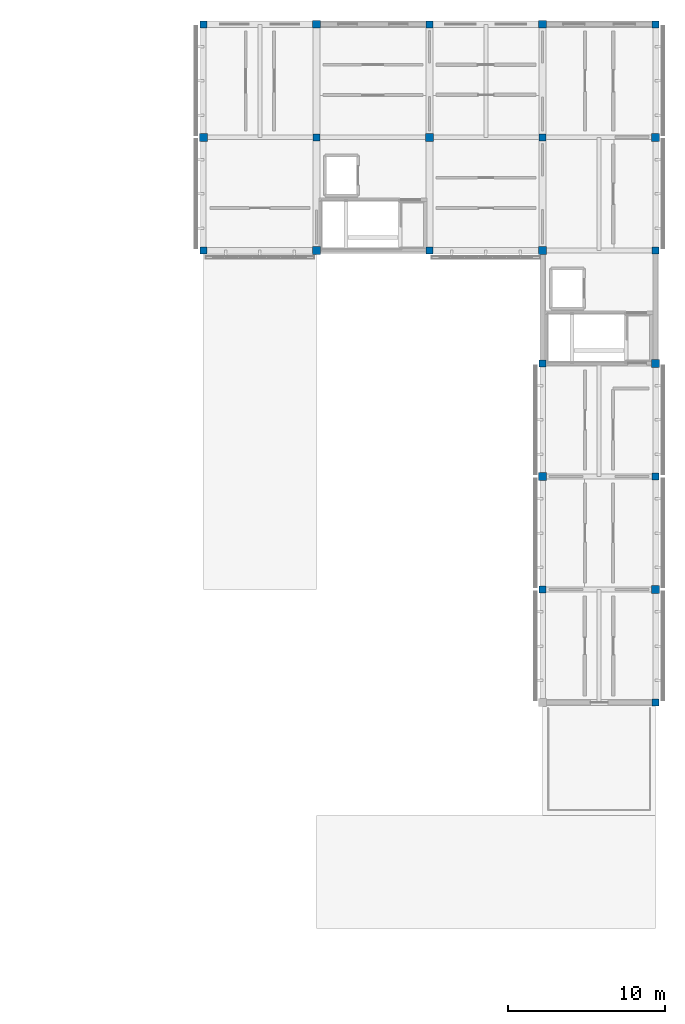
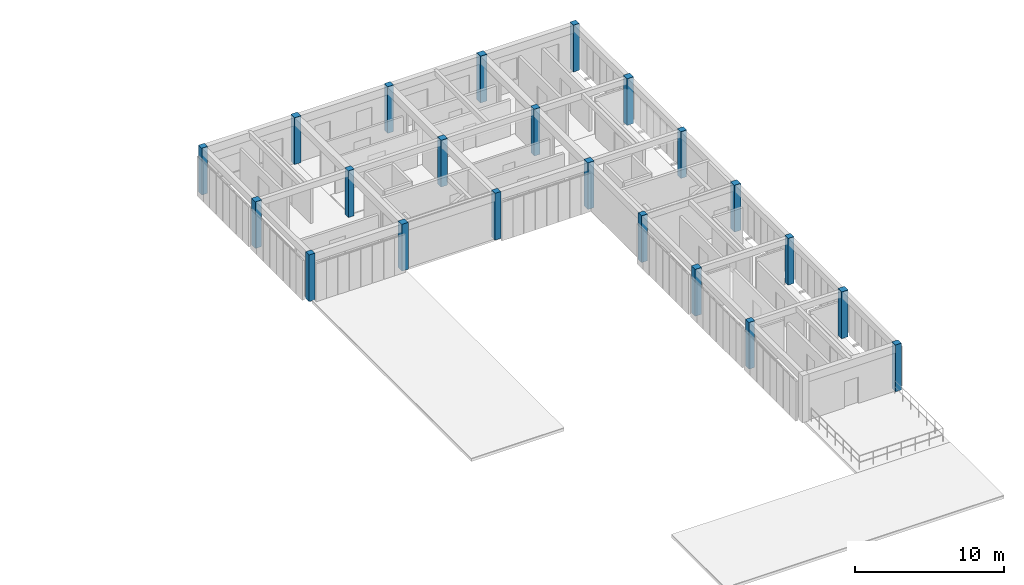
# One storey, part 2 of 33: 22 columns.
"""IFC4 building model written with IfcOpenShell, lengths in metres."""

import ifcopenshell
import ifcopenshell.guid

model = None  # the IFC model being written
_history = None  # IfcOwnerHistory: only IFC2X3 demands one
_inside = {}  # id of a spatial element -> (the spatial element, [elements in it])
_under = {}  # id of a project, library or spatial element -> (it, [spatial elements below it])
_declared = {}  # id of a project -> (the project, [libraries it declares])
_typed = {}  # id of a type object -> (the type object, [elements of that type])
_made_of = {}  # id of a material, layer set ... -> (it, [elements and type objects made of it])


def new_model(schema):
    """Start an empty IFC model of exactly this schema.

    Asked for "IFC4X3", IfcOpenShell would pick the latest addendum, in which some entities
    have other attributes; the version numbers below select the first issue.
    IFC2X3 requires an IfcOwnerHistory on every rooted entity: one is made here for all.
    """
    global model, _history
    if schema == "IFC4X3":
        model = ifcopenshell.file(schema_version=(4, 3, 0, 0))
    else:
        model = ifcopenshell.file(schema=schema)
    _inside.clear()
    _under.clear()
    _declared.clear()
    _typed.clear()
    _made_of.clear()
    _history = None
    if model.schema == "IFC2X3":
        org = make("IfcOrganization", Name="unknown")
        user = make(
            "IfcPersonAndOrganization",
            ThePerson=make("IfcPerson", FamilyName="unknown"),
            TheOrganization=org,
        )
        app = make(
            "IfcApplication",
            ApplicationDeveloper=org,
            Version="unknown",
            ApplicationFullName="unknown",
            ApplicationIdentifier="unknown",
        )
        _history = make(
            "IfcOwnerHistory",
            OwningUser=user,
            OwningApplication=app,
            ChangeAction="ADDED",
            CreationDate=0,
        )
    return model


def make(cls, **values):
    """One entity of the class cls with the attributes given. An attribute that is None is left unset."""
    return model.create_entity(
        cls, **{name: value for name, value in values.items() if value is not None}
    )


def rooted(cls, **values):
    """An entity with a GlobalId (a new one), such as an element, a storey or a relation."""
    return make(cls, GlobalId=ifcopenshell.guid.new(), OwnerHistory=_history, **values)


def si_unit(unit_type, name, prefix=None):
    """IfcSIUnit, for example si_unit("LENGTHUNIT", "METRE", prefix="MILLI")."""
    return make("IfcSIUnit", UnitType=unit_type, Prefix=prefix, Name=name)


def assignment(units):
    """IfcUnitAssignment: the units of a project."""
    return None if units is None else make("IfcUnitAssignment", Units=units)


def point(xyz):
    """IfcCartesianPoint."""
    return None if xyz is None else make("IfcCartesianPoint", Coordinates=xyz)


def direction(xyz):
    """IfcDirection."""
    return None if xyz is None else make("IfcDirection", DirectionRatios=xyz)


def frame(location, z_axis=None, x_axis=None):
    """IfcAxis2Placement3D, a coordinate frame: its origin and axes. An axis left out is left unset."""
    return make(
        "IfcAxis2Placement3D",
        Location=point(location),
        Axis=direction(z_axis),
        RefDirection=direction(x_axis),
    )


def frame_2d(location, x_axis=None):
    """IfcAxis2Placement2D, a coordinate frame in the plane: its origin and x axis."""
    return make(
        "IfcAxis2Placement2D", Location=point(location), RefDirection=direction(x_axis)
    )


def origin():
    """The frame at (0, 0, 0) with its axes left unset."""
    return frame((0.0, 0.0, 0.0))


def origin_2d():
    """The frame at (0, 0) in the plane with its x axis left unset."""
    return frame_2d((0.0, 0.0))


def place(relative_to, where):
    """IfcLocalPlacement: puts the frame where relative to a parent placement (None: the world)."""
    return make(
        "IfcLocalPlacement", PlacementRelTo=relative_to, RelativePlacement=where
    )


def context(
    kind, dimensions, precision=None, world=None, true_north=None, identifier=None
):
    """IfcGeometricRepresentationContext, for example the 3D "Model" context."""
    return make(
        "IfcGeometricRepresentationContext",
        ContextIdentifier=identifier,
        ContextType=kind,
        CoordinateSpaceDimension=dimensions,
        Precision=precision,
        WorldCoordinateSystem=world,
        TrueNorth=true_north,
    )


def subcontext(parent, identifier, kind, view, scale=None):
    """IfcGeometricRepresentationSubContext, for example "Body" below "Model"."""
    return make(
        "IfcGeometricRepresentationSubContext",
        ContextIdentifier=identifier,
        ContextType=kind,
        ParentContext=parent,
        TargetScale=scale,
        TargetView=view,
    )


def project(units=None, contexts=None):
    """IfcProject with its units and contexts."""
    return rooted(
        "IfcProject",
        Name="project",
        RepresentationContexts=contexts,
        UnitsInContext=assignment(units),
    )


def spatial(cls, under=None, at=None, **own):
    """A site, building, storey or space (cls), placed at a placement, below another one or the project."""
    s = rooted(cls, ObjectPlacement=at, **own)
    if under is not None:
        _under.setdefault(under.id(), (under, []))[1].append(s)
    return s


def profile(cls, at=None, kind="AREA", **sizes):
    """A parametric profile (cls). Its sizes go by their IFC names, for example OverallWidth=200.0."""
    return make(cls, ProfileType=kind, Position=at, **sizes)


def rectangle(**sizes):
    """IfcRectangleProfileDef."""
    return profile("IfcRectangleProfileDef", **sizes)


def extrude(swept, where, along, depth):
    """IfcExtrudedAreaSolid: the profile swept, set in the frame where, extruded along a direction by depth."""
    return make(
        "IfcExtrudedAreaSolid",
        SweptArea=swept,
        Position=where,
        ExtrudedDirection=direction(along),
        Depth=depth,
    )


def shape(context_of_items, identifier, shape_type, items):
    """IfcShapeRepresentation: the items that make up one representation, for example the "Body"."""
    return make(
        "IfcShapeRepresentation",
        ContextOfItems=context_of_items,
        RepresentationIdentifier=identifier,
        RepresentationType=shape_type,
        Items=items,
    )


def material(Name=None, Category=None):
    """IfcMaterial."""
    return make("IfcMaterial", Name=Name, Category=Category)


def material_profile(
    of_material, cross_section, Name=None, Category=None, Priority=None
):
    """IfcMaterialProfile: a cross section and its material."""
    return make(
        "IfcMaterialProfile",
        Name=Name,
        Material=of_material,
        Profile=cross_section,
        Priority=Priority,
        Category=Category,
    )


def profile_set(profiles, Name=None, composite=None):
    """IfcMaterialProfileSet."""
    return make(
        "IfcMaterialProfileSet",
        Name=Name,
        MaterialProfiles=profiles,
        CompositeProfile=composite,
    )


def made_of(thing, what):
    """Note that an element or type object is made of a material, layer set ...; save() writes the relation."""
    if what is not None:
        _made_of.setdefault(what.id(), (what, []))[1].append(thing)
    return thing


def type_object(cls, material=None, **own):
    """A type object (cls), such as IfcWallType, which elements share."""
    return made_of(rooted(cls, **own), material)


def element(
    cls,
    number,
    at=None,
    inside=None,
    cuts=None,
    type_object=None,
    material=None,
    context=None,
    identifier="Body",
    shape_type=None,
    held_by="IfcProductDefinitionShape",
    body=None,
    shapes=None,
    **own,
):
    """One element of the class cls, such as IfcWall. Its Tag is "e" and its number.

    at: its placement. inside: the storey or other place that contains it. cuts: it is an
    opening in that element (IfcRelVoidsElement). A single representation is given by context,
    identifier, shape_type and body (its items); several are given by shapes. held_by: the class
    of the entity that holds the representations. save() writes the other relations.
    """
    e = rooted(cls, Tag="e%d" % number, ObjectPlacement=at, **own)
    if body is not None:
        shapes = [shape(context, identifier, shape_type, body)]
    if shapes is not None:
        e.Representation = make(held_by, Representations=shapes)
    if inside is not None:
        _inside.setdefault(inside.id(), (inside, []))[1].append(e)
    if cuts is not None:
        rooted(
            "IfcRelVoidsElement", RelatingBuildingElement=cuts, RelatedOpeningElement=e
        )
    if type_object is not None:
        _typed.setdefault(type_object.id(), (type_object, []))[1].append(e)
    return made_of(e, material)


def aggregate(whole, parts):
    """IfcRelAggregates: a whole, such as a stair, and the parts it consists of."""
    return rooted("IfcRelAggregates", RelatingObject=whole, RelatedObjects=parts)


def save(model, path):
    """Write the relations noted so far, then the file.

    IfcRelAggregates (storeys below a building ...), IfcRelContainedInSpatialStructure (elements
    in a storey), IfcRelDefinesByType, IfcRelAssociatesMaterial and IfcRelDeclares: one each for
    every whole, place, type object, material and project.
    """
    for whole, parts in _under.values():
        aggregate(whole, parts)
    for where, things in _inside.values():
        rooted(
            "IfcRelContainedInSpatialStructure",
            RelatedElements=things,
            RelatingStructure=where,
        )
    for kind, things in _typed.values():
        rooted("IfcRelDefinesByType", RelatedObjects=things, RelatingType=kind)
    for what, things in _made_of.values():
        rooted("IfcRelAssociatesMaterial", RelatedObjects=things, RelatingMaterial=what)
    for by, libraries in _declared.values():
        rooted("IfcRelDeclares", RelatingContext=by, RelatedDefinitions=libraries)
    model.write(path)


model = new_model("IFC4")

# Units and contexts
model_context = context("Model", 3, precision=1e-05, world=origin(), true_north=direction((0.0, 1.0)))
body_context = subcontext(model_context, "Body", "Model", "MODEL_VIEW")
ifc_project = project(units=[si_unit("LENGTHUNIT", "METRE"), si_unit("AREAUNIT", "SQUARE_METRE"), si_unit("VOLUMEUNIT", "CUBIC_METRE"), si_unit("PLANEANGLEUNIT", "RADIAN"), si_unit("MASSUNIT", "GRAM", prefix="KILO")], contexts=[model_context])

# Site, building, storey
site_placement = place(None, origin())
site = spatial("IfcSite", under=ifc_project, at=site_placement, CompositionType="ELEMENT")
building_placement = place(site_placement, origin())
building = spatial("IfcBuilding", under=site, at=building_placement, Name="Aldebral Square Health Centre", CompositionType="ELEMENT")
storey_placement = place(building_placement, frame((0.0, 0.0, 17.550048828125)))
storey = spatial("IfcBuildingStorey", under=building, at=storey_placement, Name="L04", CompositionType="ELEMENT", Elevation=17.550048828125)

# Columns
ifc_material = material(Name="Concrete C40/50", Category="concrete")
ifc_material_profile_1 = material_profile(ifc_material, rectangle(XDim=0.5, YDim=0.5, at=origin_2d()), Name="RC 500x500")
ifc_profile_set_1 = profile_set([ifc_material_profile_1], Name="Concrete C40/50")
column_type_1 = type_object("IfcColumnType", Name="COL-C5", PredefinedType="COLUMN", material=ifc_profile_set_1)
for number, where, z_axis, x_axis, name in (
    (1, (136.800048828125, 108.0, 0.0), (0.0, 0.0, 1.0), (1.0, 0.0, 0.0), "L04 column 20/16"),
    (2, (144.0, 100.800048828125, 0.0), (0.0, 0.0, 1.0), (1.0, 0.0, 0.0), "L04 column 21/15"),
    (3, (144.0, 115.199951171875, 0.0), (0.0, 0.0, 1.0), (1.0, 0.0, 0.0), "L04 column 21/17"),
    (4, (151.199951171875, 108.0, 0.0), (0.0, 0.0, 1.0), (1.0, 0.0, 0.0), "L04 column 22/16"),
    (5, (158.39990234375, 86.39990234375, 0.0), (0.0, 0.0, 1.0), (1.0, 0.0, 0.0), "L04 column 23/13"),
    (6, (158.39990234375, 100.800048828125, 0.0), (0.0, 0.0, 1.0), (1.0, 0.0, 0.0), "L04 column 23/15"),
    (7, (158.39990234375, 115.199951171875, 0.0), (0.0, 0.0, 1.0), (1.0, 0.0, 0.0), "L04 column 23/17"),
    (8, (165.60009765625, 79.199951171875, 0.0), (0.0, 0.0, 1.0), (1.0, 0.0, 0.0), "L04 column 24/12"),
    (9, (165.60009765625, 93.60009765625, 0.0), (0.0, 0.0, 1.0), (1.0, 0.0, 0.0), "L04 column 24/14"),
    (10, (165.60009765625, 108.0, 0.0), (0.0, 0.0, 1.0), (1.0, 0.0, 0.0), "L04 column 24/16"),
):
    element("IfcColumn", number, at=place(storey_placement, frame(where, z_axis=z_axis, x_axis=x_axis)), inside=storey, type_object=column_type_1, Name=name, PredefinedType="COLUMN", context=body_context, shape_type="SweptSolid", body=[
        extrude(rectangle(XDim=0.5, YDim=0.5, at=origin_2d()), origin(), (0.0, 0.0, 1.0), 3.829833984375),
    ])
ifc_material_profile_2 = material_profile(ifc_material, rectangle(XDim=0.449951171875, YDim=0.449951171875, at=origin_2d()), Name="RC 450x450")
ifc_profile_set_2 = profile_set([ifc_material_profile_2], Name="Concrete C40/50")
column_type_2 = type_object("IfcColumnType", Name="COL-C6", PredefinedType="COLUMN", material=ifc_profile_set_2)
for number, where, z_axis, x_axis, name in (
    (11, (136.800048828125, 100.800048828125, 0.0), (0.0, 0.0, 1.0), (1.0, 0.0, 0.0), "L04 column 20/15"),
    (12, (136.800048828125, 115.199951171875, 0.0), (0.0, 0.0, 1.0), (1.0, 0.0, 0.0), "L04 column 20/17"),
    (13, (144.0, 108.0, 0.0), (0.0, 0.0, 1.0), (1.0, 0.0, 0.0), "L04 column 21/16"),
    (14, (151.199951171875, 100.800048828125, 0.0), (0.0, 0.0, 1.0), (1.0, 0.0, 0.0), "L04 column 22/15"),
    (15, (151.199951171875, 115.199951171875, 0.0), (0.0, 0.0, 1.0), (1.0, 0.0, 0.0), "L04 column 22/17"),
    (16, (158.39990234375, 79.199951171875, 0.0), (0.0, 0.0, 1.0), (1.0, 0.0, 0.0), "L04 column 23/12"),
    (17, (158.39990234375, 93.60009765625, 0.0), (0.0, 0.0, 1.0), (1.0, 0.0, 0.0), "L04 column 23/14"),
    (18, (158.39990234375, 108.0, 0.0), (0.0, 0.0, 1.0), (1.0, 0.0, 0.0), "L04 column 23/16"),
    (19, (165.60009765625, 72.0, 0.0), (0.0, 0.0, 1.0), (1.0, 0.0, 0.0), "L04 column 24/11"),
    (20, (165.60009765625, 86.39990234375, 0.0), (0.0, 0.0, 1.0), (1.0, 0.0, 0.0), "L04 column 24/13"),
    (21, (165.60009765625, 100.800048828125, 0.0), (0.0, 0.0, 1.0), (1.0, 0.0, 0.0), "L04 column 24/15"),
    (22, (165.60009765625, 115.199951171875, 0.0), (0.0, 0.0, 1.0), (1.0, 0.0, 0.0), "L04 column 24/17"),
):
    element("IfcColumn", number, at=place(storey_placement, frame(where, z_axis=z_axis, x_axis=x_axis)), inside=storey, type_object=column_type_2, Name=name, PredefinedType="COLUMN", context=body_context, shape_type="SweptSolid", body=[
        extrude(rectangle(XDim=0.449951171875, YDim=0.449951171875, at=origin_2d()), origin(), (0.0, 0.0, 1.0), 3.829833984375),
    ])

save(model, "model.ifc")
